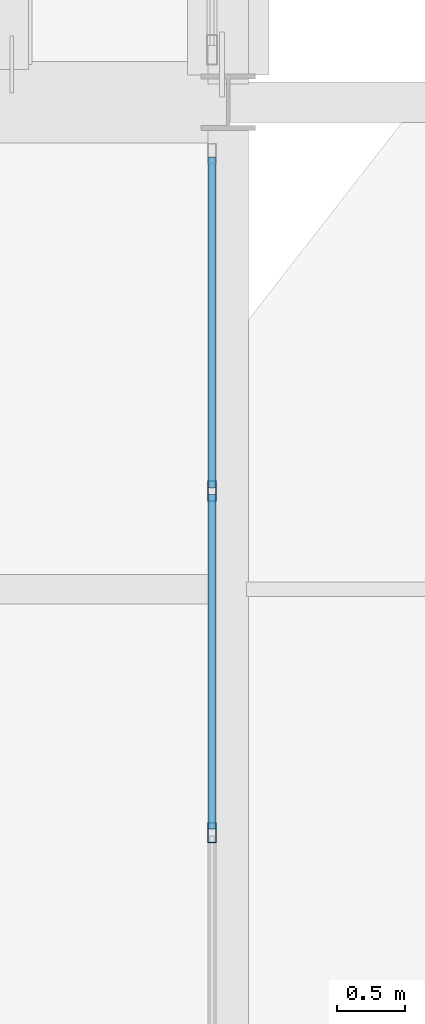
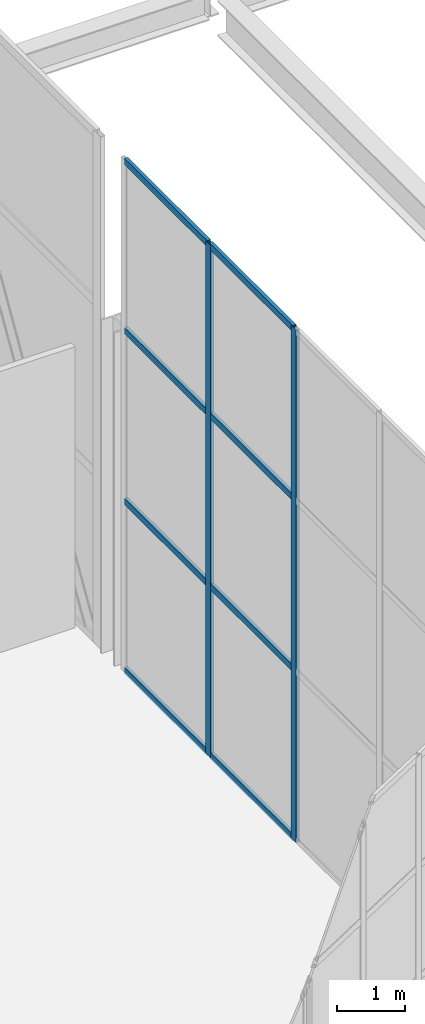
# One storey, part 52 of 191: 10 members, 1 element without a shape of its own.
"""IFC4 building model written with IfcOpenShell, lengths in metres."""

from ifc_helpers import new_model, si_unit, direction, frame, origin, origin_2d, place, context, subcontext, project, spatial, hollow_rectangle, extrude, material, layer, layer_set, material_profile, profile_set, type_object, element, aggregate, save


model = new_model("IFC4")

# Units and contexts
model_context = context("Model", 3, precision=1e-05, world=origin(), true_north=direction((0.0, 1.0)))
body_context = subcontext(model_context, "Body", "Model", "MODEL_VIEW")
ifc_project = project(units=[si_unit("LENGTHUNIT", "METRE"), si_unit("AREAUNIT", "SQUARE_METRE"), si_unit("VOLUMEUNIT", "CUBIC_METRE"), si_unit("PLANEANGLEUNIT", "RADIAN"), si_unit("MASSUNIT", "GRAM", prefix="KILO")], contexts=[model_context])

# Site, building, storey
site_placement = place(None, origin())
site = spatial("IfcSite", under=ifc_project, at=site_placement, CompositionType="ELEMENT")
building_placement = place(site_placement, origin())
building = spatial("IfcBuilding", under=site, at=building_placement, Name="Tamarisk Ironworks Central Station", CompositionType="ELEMENT")
storey_placement = place(building_placement, frame((0.0, 0.0, 6.60009765625)))
storey = spatial("IfcBuildingStorey", under=building, at=storey_placement, Name="L01", CompositionType="ELEMENT", Elevation=6.60009765625)

# Curtain wall, members
ifc_material = material(Name="Anodized aluminium alloy 6063-T6", Category="aluminium")
ifc_layer = layer(ifc_material, 0.179931640625)
ifc_layer_set = layer_set([ifc_layer], Name="Anodized aluminium alloy 6063-T6")
curtain_wall_type = type_object("IfcCurtainWallType", Name="CW-05", PredefinedType="USERDEFINED", material=ifc_layer_set)
curtain_wall_placement = place(storey_placement, origin())
curtain_wall = element("IfcCurtainWall", 1, at=curtain_wall_placement, inside=storey, type_object=curtain_wall_type, Name="Concourse E track-overlook curtain wall 01", ObjectType="GLAZED CURTAIN WALL", PredefinedType="USERDEFINED")
ifc_material_profile_1 = material_profile(ifc_material, hollow_rectangle(XDim=0.06005859375, YDim=0.14990234375, WallThickness=0.00341796875, at=origin_2d()), Name="ALUM 150x60")
ifc_profile_set_1 = profile_set([ifc_material_profile_1], Name="Anodized aluminium alloy 6063-T6")
member_type_1 = type_object("IfcMemberType", Name="CWM-03", PredefinedType="MULLION", material=ifc_profile_set_1)
member_1_placement = place(storey_placement, frame((107.8798828125, 16.199951171875, 0.0), z_axis=(0.0, 0.0, 1.0), x_axis=(-1.0, 0.0, 0.0)))
member_1 = element("IfcMember", 2, at=member_1_placement, type_object=member_type_1, Name="CW05 mullion 3", PredefinedType="MULLION", context=body_context, shape_type="SweptSolid", body=[
    extrude(hollow_rectangle(XDim=0.06005859375, YDim=0.14990234375, WallThickness=0.00341796875, at=origin_2d()), origin(), (0.0, 0.0, 1.0), 9.219970703125),
])
member_2_placement = place(storey_placement, frame((107.8798828125, 18.72509765625, 0.0), z_axis=(0.0, 0.0, 1.0), x_axis=(-1.0, 0.0, 0.0)))
member_2 = element("IfcMember", 3, at=member_2_placement, type_object=member_type_1, Name="CW05 mullion 4", PredefinedType="MULLION", context=body_context, shape_type="SweptSolid", body=[
    extrude(hollow_rectangle(XDim=0.06005859375, YDim=0.14990234375, WallThickness=0.00341796875, at=origin_2d()), origin(), (0.0, 0.0, 1.0), 9.219970703125),
])
ifc_material_profile_2 = material_profile(ifc_material, hollow_rectangle(XDim=0.06005859375, YDim=0.114990234375, WallThickness=0.00341796875, at=origin_2d()), Name="ALUM 115x60")
ifc_profile_set_2 = profile_set([ifc_material_profile_2], Name="Anodized aluminium alloy 6063-T6")
member_type_2 = type_object("IfcMemberType", Name="CWT-03", PredefinedType="USERDEFINED", material=ifc_profile_set_2)
member_3_placement = place(storey_placement, frame((107.8798828125, 16.22607421875, 0.02978515625), z_axis=(0.0, 1.0, 0.0), x_axis=(-1.0, 0.0, 0.0)))
member_3 = element("IfcMember", 4, at=member_3_placement, type_object=member_type_2, Name="CW05 transom 3.1", ObjectType="TRANSOM", PredefinedType="USERDEFINED", context=body_context, shape_type="SweptSolid", body=[
    extrude(hollow_rectangle(XDim=0.06005859375, YDim=0.114990234375, WallThickness=0.00341796875, at=origin_2d()), origin(), (0.0, 0.0, 1.0), 2.472900390625),
])
member_4_placement = place(storey_placement, frame((107.8798828125, 16.22607421875, 3.0732421875), z_axis=(0.0, 1.0, 0.0), x_axis=(-1.0, 0.0, 0.0)))
member_4 = element("IfcMember", 5, at=member_4_placement, type_object=member_type_2, Name="CW05 transom 3.2", ObjectType="TRANSOM", PredefinedType="USERDEFINED", context=body_context, shape_type="SweptSolid", body=[
    extrude(hollow_rectangle(XDim=0.06005859375, YDim=0.114990234375, WallThickness=0.00341796875, at=origin_2d()), origin(), (0.0, 0.0, 1.0), 2.472900390625),
])
member_5_placement = place(storey_placement, frame((107.8798828125, 16.22607421875, 6.146484375), z_axis=(0.0, 1.0, 0.0), x_axis=(-1.0, 0.0, 0.0)))
member_5 = element("IfcMember", 6, at=member_5_placement, type_object=member_type_2, Name="CW05 transom 3.3", ObjectType="TRANSOM", PredefinedType="USERDEFINED", context=body_context, shape_type="SweptSolid", body=[
    extrude(hollow_rectangle(XDim=0.06005859375, YDim=0.114990234375, WallThickness=0.00341796875, at=origin_2d()), origin(), (0.0, 0.0, 1.0), 2.472900390625),
])
member_6_placement = place(storey_placement, frame((107.8798828125, 16.22607421875, 9.18994140625), z_axis=(0.0, 1.0, 0.0), x_axis=(-1.0, 0.0, 0.0)))
member_6 = element("IfcMember", 7, at=member_6_placement, type_object=member_type_2, Name="CW05 transom 3.4", ObjectType="TRANSOM", PredefinedType="USERDEFINED", context=body_context, shape_type="SweptSolid", body=[
    extrude(hollow_rectangle(XDim=0.06005859375, YDim=0.114990234375, WallThickness=0.00341796875, at=origin_2d()), origin(), (0.0, 0.0, 1.0), 2.472900390625),
])
member_7_placement = place(storey_placement, frame((107.8798828125, 18.7509765625, 0.02978515625), z_axis=(0.0, 1.0, 0.0), x_axis=(-1.0, 0.0, 0.0)))
member_7 = element("IfcMember", 8, at=member_7_placement, type_object=member_type_2, Name="CW05 transom 4.1", ObjectType="TRANSOM", PredefinedType="USERDEFINED", context=body_context, shape_type="SweptSolid", body=[
    extrude(hollow_rectangle(XDim=0.06005859375, YDim=0.114990234375, WallThickness=0.00341796875, at=origin_2d()), origin(), (0.0, 0.0, 1.0), 2.443115234375),
])
member_8_placement = place(storey_placement, frame((107.8798828125, 18.7509765625, 3.0732421875), z_axis=(0.0, 1.0, 0.0), x_axis=(-1.0, 0.0, 0.0)))
member_8 = element("IfcMember", 9, at=member_8_placement, type_object=member_type_2, Name="CW05 transom 4.2", ObjectType="TRANSOM", PredefinedType="USERDEFINED", context=body_context, shape_type="SweptSolid", body=[
    extrude(hollow_rectangle(XDim=0.06005859375, YDim=0.114990234375, WallThickness=0.00341796875, at=origin_2d()), origin(), (0.0, 0.0, 1.0), 2.443115234375),
])
member_9_placement = place(storey_placement, frame((107.8798828125, 18.7509765625, 6.146484375), z_axis=(0.0, 1.0, 0.0), x_axis=(-1.0, 0.0, 0.0)))
member_9 = element("IfcMember", 10, at=member_9_placement, type_object=member_type_2, Name="CW05 transom 4.3", ObjectType="TRANSOM", PredefinedType="USERDEFINED", context=body_context, shape_type="SweptSolid", body=[
    extrude(hollow_rectangle(XDim=0.06005859375, YDim=0.114990234375, WallThickness=0.00341796875, at=origin_2d()), origin(), (0.0, 0.0, 1.0), 2.443115234375),
])
member_10_placement = place(storey_placement, frame((107.8798828125, 18.7509765625, 9.18994140625), z_axis=(0.0, 1.0, 0.0), x_axis=(-1.0, 0.0, 0.0)))
member_10 = element("IfcMember", 11, at=member_10_placement, type_object=member_type_2, Name="CW05 transom 4.4", ObjectType="TRANSOM", PredefinedType="USERDEFINED", context=body_context, shape_type="SweptSolid", body=[
    extrude(hollow_rectangle(XDim=0.06005859375, YDim=0.114990234375, WallThickness=0.00341796875, at=origin_2d()), origin(), (0.0, 0.0, 1.0), 2.443115234375),
])
aggregate(curtain_wall, [member_1, member_2, member_3, member_4, member_5, member_6, member_7, member_8, member_9, member_10])

save(model, "model.ifc")
